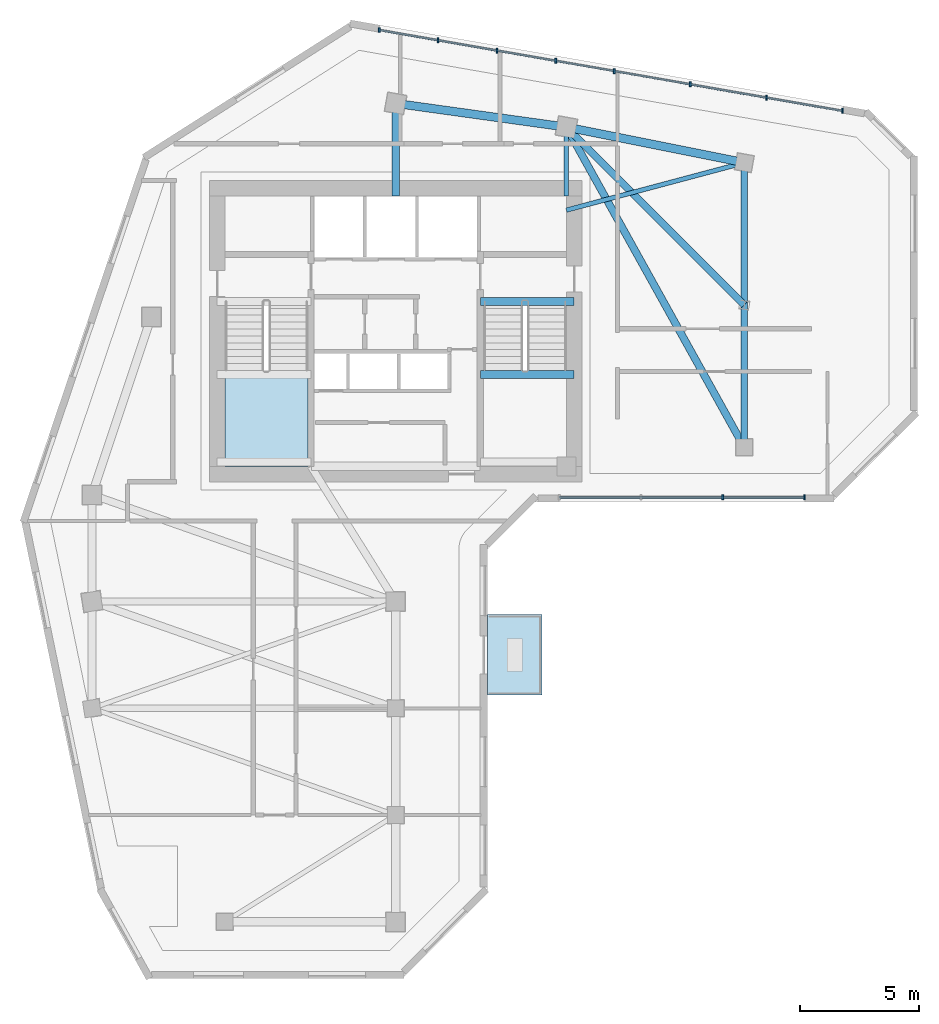
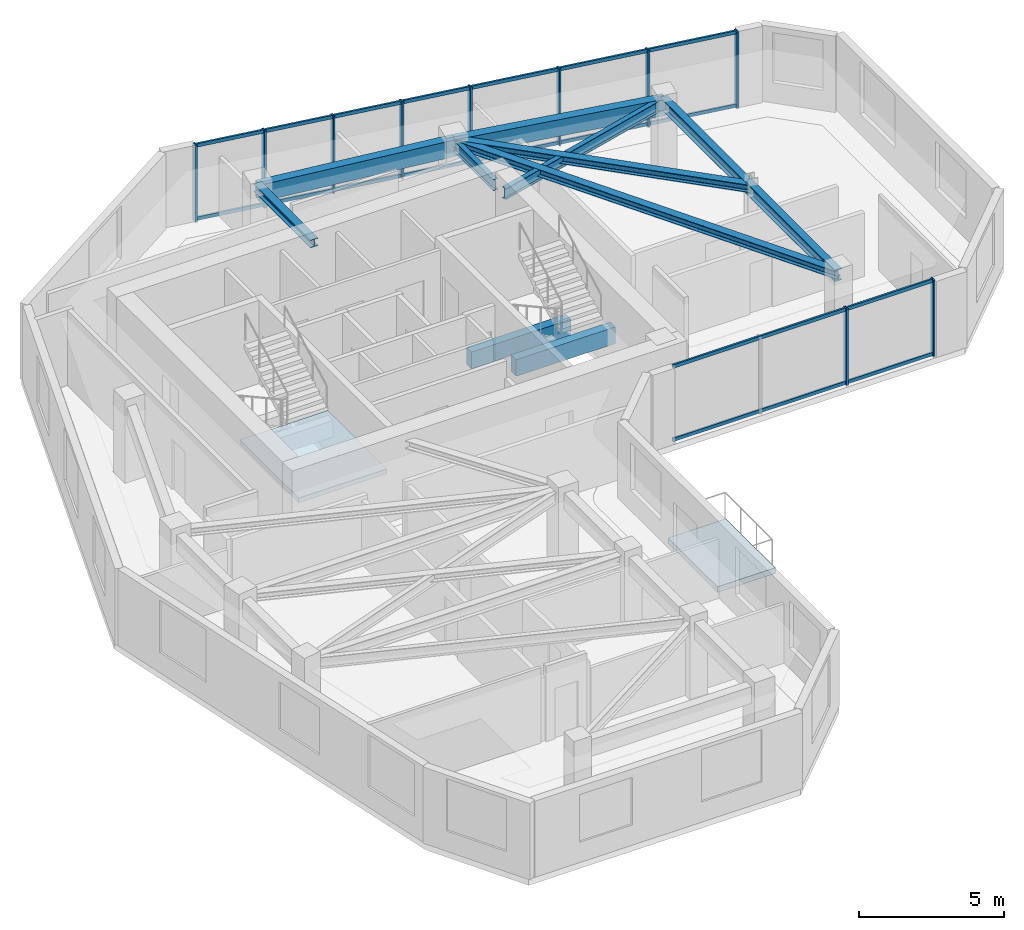
# One storey, part 2 of 9: 14 members, 10 beams, 2 slabs, 3 elements without a shape of their own.
"""IFC4 building model written with IfcOpenShell, lengths in metres."""

import ifcopenshell
import ifcopenshell.guid

model = None  # the IFC model being written
_history = None  # IfcOwnerHistory: only IFC2X3 demands one
_inside = {}  # id of a spatial element -> (the spatial element, [elements in it])
_under = {}  # id of a project, library or spatial element -> (it, [spatial elements below it])
_declared = {}  # id of a project -> (the project, [libraries it declares])
_typed = {}  # id of a type object -> (the type object, [elements of that type])
_made_of = {}  # id of a material, layer set ... -> (it, [elements and type objects made of it])


def new_model(schema):
    """Start an empty IFC model of exactly this schema.

    Asked for "IFC4X3", IfcOpenShell would pick the latest addendum, in which some entities
    have other attributes; the version numbers below select the first issue.
    IFC2X3 requires an IfcOwnerHistory on every rooted entity: one is made here for all.
    """
    global model, _history
    if schema == "IFC4X3":
        model = ifcopenshell.file(schema_version=(4, 3, 0, 0))
    else:
        model = ifcopenshell.file(schema=schema)
    _inside.clear()
    _under.clear()
    _declared.clear()
    _typed.clear()
    _made_of.clear()
    _history = None
    if model.schema == "IFC2X3":
        org = make("IfcOrganization", Name="unknown")
        user = make(
            "IfcPersonAndOrganization",
            ThePerson=make("IfcPerson", FamilyName="unknown"),
            TheOrganization=org,
        )
        app = make(
            "IfcApplication",
            ApplicationDeveloper=org,
            Version="unknown",
            ApplicationFullName="unknown",
            ApplicationIdentifier="unknown",
        )
        _history = make(
            "IfcOwnerHistory",
            OwningUser=user,
            OwningApplication=app,
            ChangeAction="ADDED",
            CreationDate=0,
        )
    return model


def make(cls, **values):
    """One entity of the class cls with the attributes given. An attribute that is None is left unset."""
    return model.create_entity(
        cls, **{name: value for name, value in values.items() if value is not None}
    )


def rooted(cls, **values):
    """An entity with a GlobalId (a new one), such as an element, a storey or a relation."""
    return make(cls, GlobalId=ifcopenshell.guid.new(), OwnerHistory=_history, **values)


def si_unit(unit_type, name, prefix=None):
    """IfcSIUnit, for example si_unit("LENGTHUNIT", "METRE", prefix="MILLI")."""
    return make("IfcSIUnit", UnitType=unit_type, Prefix=prefix, Name=name)


def assignment(units):
    """IfcUnitAssignment: the units of a project."""
    return None if units is None else make("IfcUnitAssignment", Units=units)


def point(xyz):
    """IfcCartesianPoint."""
    return None if xyz is None else make("IfcCartesianPoint", Coordinates=xyz)


def direction(xyz):
    """IfcDirection."""
    return None if xyz is None else make("IfcDirection", DirectionRatios=xyz)


def frame(location, z_axis=None, x_axis=None):
    """IfcAxis2Placement3D, a coordinate frame: its origin and axes. An axis left out is left unset."""
    return make(
        "IfcAxis2Placement3D",
        Location=point(location),
        Axis=direction(z_axis),
        RefDirection=direction(x_axis),
    )


def frame_2d(location, x_axis=None):
    """IfcAxis2Placement2D, a coordinate frame in the plane: its origin and x axis."""
    return make(
        "IfcAxis2Placement2D", Location=point(location), RefDirection=direction(x_axis)
    )


def origin():
    """The frame at (0, 0, 0) with its axes left unset."""
    return frame((0.0, 0.0, 0.0))


def origin_2d():
    """The frame at (0, 0) in the plane with its x axis left unset."""
    return frame_2d((0.0, 0.0))


def place(relative_to, where):
    """IfcLocalPlacement: puts the frame where relative to a parent placement (None: the world)."""
    return make(
        "IfcLocalPlacement", PlacementRelTo=relative_to, RelativePlacement=where
    )


def context(
    kind, dimensions, precision=None, world=None, true_north=None, identifier=None
):
    """IfcGeometricRepresentationContext, for example the 3D "Model" context."""
    return make(
        "IfcGeometricRepresentationContext",
        ContextIdentifier=identifier,
        ContextType=kind,
        CoordinateSpaceDimension=dimensions,
        Precision=precision,
        WorldCoordinateSystem=world,
        TrueNorth=true_north,
    )


def subcontext(parent, identifier, kind, view, scale=None):
    """IfcGeometricRepresentationSubContext, for example "Body" below "Model"."""
    return make(
        "IfcGeometricRepresentationSubContext",
        ContextIdentifier=identifier,
        ContextType=kind,
        ParentContext=parent,
        TargetScale=scale,
        TargetView=view,
    )


def project(units=None, contexts=None):
    """IfcProject with its units and contexts."""
    return rooted(
        "IfcProject",
        Name="project",
        RepresentationContexts=contexts,
        UnitsInContext=assignment(units),
    )


def spatial(cls, under=None, at=None, **own):
    """A site, building, storey or space (cls), placed at a placement, below another one or the project."""
    s = rooted(cls, ObjectPlacement=at, **own)
    if under is not None:
        _under.setdefault(under.id(), (under, []))[1].append(s)
    return s


def polyline(points):
    """IfcPolyline through the points."""
    return make("IfcPolyline", Points=[point(p) for p in points])


def profile(cls, at=None, kind="AREA", **sizes):
    """A parametric profile (cls). Its sizes go by their IFC names, for example OverallWidth=200.0."""
    return make(cls, ProfileType=kind, Position=at, **sizes)


def rectangle(**sizes):
    """IfcRectangleProfileDef."""
    return profile("IfcRectangleProfileDef", **sizes)


def i_section(**sizes):
    """IfcIShapeProfileDef."""
    return profile("IfcIShapeProfileDef", **sizes)


def outline(outer, holes=None, kind="AREA"):
    """IfcArbitraryClosedProfileDef: a profile drawn as a closed curve; with holes, ...WithVoids."""
    if holes is None:
        return make("IfcArbitraryClosedProfileDef", ProfileType=kind, OuterCurve=outer)
    return make(
        "IfcArbitraryProfileDefWithVoids",
        ProfileType=kind,
        OuterCurve=outer,
        InnerCurves=holes,
    )


def extrude(swept, where, along, depth):
    """IfcExtrudedAreaSolid: the profile swept, set in the frame where, extruded along a direction by depth."""
    return make(
        "IfcExtrudedAreaSolid",
        SweptArea=swept,
        Position=where,
        ExtrudedDirection=direction(along),
        Depth=depth,
    )


def shape(context_of_items, identifier, shape_type, items):
    """IfcShapeRepresentation: the items that make up one representation, for example the "Body"."""
    return make(
        "IfcShapeRepresentation",
        ContextOfItems=context_of_items,
        RepresentationIdentifier=identifier,
        RepresentationType=shape_type,
        Items=items,
    )


def source(mapping_origin, context_of_items, identifier, shape_type, items):
    """IfcRepresentationMap: a shape defined once, which mapped items show again and again."""
    return make(
        "IfcRepresentationMap",
        MappingOrigin=mapping_origin,
        MappedRepresentation=shape(context_of_items, identifier, shape_type, items),
    )


def transform(
    local_origin,
    x_axis=None,
    y_axis=None,
    z_axis=None,
    scale=None,
    scale2=None,
    scale3=None,
    uniform=True,
):
    """IfcCartesianTransformationOperator3D, or its non-uniform kind. x_axis, y_axis, z_axis: its Axis1, 2, 3."""
    if uniform:
        return make(
            "IfcCartesianTransformationOperator3D",
            Axis1=direction(x_axis),
            Axis2=direction(y_axis),
            LocalOrigin=point(local_origin),
            Scale=scale,
            Axis3=direction(z_axis),
        )
    return make(
        "IfcCartesianTransformationOperator3DnonUniform",
        Axis1=direction(x_axis),
        Axis2=direction(y_axis),
        LocalOrigin=point(local_origin),
        Scale=scale,
        Axis3=direction(z_axis),
        Scale2=scale2,
        Scale3=scale3,
    )


def mapped(mapping_source, mapping_target):
    """IfcMappedItem: shows the shape of a source again, moved by a transform."""
    return make(
        "IfcMappedItem", MappingSource=mapping_source, MappingTarget=mapping_target
    )


def material(Name=None, Category=None):
    """IfcMaterial."""
    return make("IfcMaterial", Name=Name, Category=Category)


def layer(
    of_material, thickness, ventilated=None, Name=None, Category=None, Priority=None
):
    """IfcMaterialLayer: one layer of a wall or slab, of a material (None: an air gap)."""
    return make(
        "IfcMaterialLayer",
        Material=of_material,
        LayerThickness=thickness,
        IsVentilated=ventilated,
        Name=Name,
        Category=Category,
        Priority=Priority,
    )


def layer_set(layers, Name=None):
    """IfcMaterialLayerSet."""
    return make("IfcMaterialLayerSet", MaterialLayers=layers, LayerSetName=Name)


def material_profile(
    of_material, cross_section, Name=None, Category=None, Priority=None
):
    """IfcMaterialProfile: a cross section and its material."""
    return make(
        "IfcMaterialProfile",
        Name=Name,
        Material=of_material,
        Profile=cross_section,
        Priority=Priority,
        Category=Category,
    )


def profile_set(profiles, Name=None, composite=None):
    """IfcMaterialProfileSet."""
    return make(
        "IfcMaterialProfileSet",
        Name=Name,
        MaterialProfiles=profiles,
        CompositeProfile=composite,
    )


def made_of(thing, what):
    """Note that an element or type object is made of a material, layer set ...; save() writes the relation."""
    if what is not None:
        _made_of.setdefault(what.id(), (what, []))[1].append(thing)
    return thing


def type_object(cls, material=None, **own):
    """A type object (cls), such as IfcWallType, which elements share."""
    return made_of(rooted(cls, **own), material)


def element(
    cls,
    number,
    at=None,
    inside=None,
    cuts=None,
    type_object=None,
    material=None,
    context=None,
    identifier="Body",
    shape_type=None,
    held_by="IfcProductDefinitionShape",
    body=None,
    shapes=None,
    **own,
):
    """One element of the class cls, such as IfcWall. Its Tag is "e" and its number.

    at: its placement. inside: the storey or other place that contains it. cuts: it is an
    opening in that element (IfcRelVoidsElement). A single representation is given by context,
    identifier, shape_type and body (its items); several are given by shapes. held_by: the class
    of the entity that holds the representations. save() writes the other relations.
    """
    e = rooted(cls, Tag="e%d" % number, ObjectPlacement=at, **own)
    if body is not None:
        shapes = [shape(context, identifier, shape_type, body)]
    if shapes is not None:
        e.Representation = make(held_by, Representations=shapes)
    if inside is not None:
        _inside.setdefault(inside.id(), (inside, []))[1].append(e)
    if cuts is not None:
        rooted(
            "IfcRelVoidsElement", RelatingBuildingElement=cuts, RelatedOpeningElement=e
        )
    if type_object is not None:
        _typed.setdefault(type_object.id(), (type_object, []))[1].append(e)
    return made_of(e, material)


def aggregate(whole, parts):
    """IfcRelAggregates: a whole, such as a stair, and the parts it consists of."""
    return rooted("IfcRelAggregates", RelatingObject=whole, RelatedObjects=parts)


def save(model, path):
    """Write the relations noted so far, then the file.

    IfcRelAggregates (storeys below a building ...), IfcRelContainedInSpatialStructure (elements
    in a storey), IfcRelDefinesByType, IfcRelAssociatesMaterial and IfcRelDeclares: one each for
    every whole, place, type object, material and project.
    """
    for whole, parts in _under.values():
        aggregate(whole, parts)
    for where, things in _inside.values():
        rooted(
            "IfcRelContainedInSpatialStructure",
            RelatedElements=things,
            RelatingStructure=where,
        )
    for kind, things in _typed.values():
        rooted("IfcRelDefinesByType", RelatedObjects=things, RelatingType=kind)
    for what, things in _made_of.values():
        rooted("IfcRelAssociatesMaterial", RelatedObjects=things, RelatingMaterial=what)
    for by, libraries in _declared.values():
        rooted("IfcRelDeclares", RelatingContext=by, RelatedDefinitions=libraries)
    model.write(path)


model = new_model("IFC4")

# Units and contexts
model_context = context("Model", 3, precision=1e-05, world=origin(), true_north=direction((0.0, 1.0)))
body_context = subcontext(model_context, "Body", "Model", "MODEL_VIEW")
ifc_project = project(units=[si_unit("LENGTHUNIT", "METRE"), si_unit("AREAUNIT", "SQUARE_METRE"), si_unit("VOLUMEUNIT", "CUBIC_METRE"), si_unit("PLANEANGLEUNIT", "RADIAN"), si_unit("MASSUNIT", "GRAM", prefix="KILO")], contexts=[model_context])

# Site, building, storey
site_placement = place(None, origin())
site = spatial("IfcSite", under=ifc_project, at=site_placement, CompositionType="ELEMENT")
building_placement = place(site_placement, origin())
building = spatial("IfcBuilding", under=site, at=building_placement, Name="Calvemar Wedge Station Tower", CompositionType="ELEMENT")
storey_placement = place(building_placement, frame((0.0, 0.0, 239.39990234375)))
storey = spatial("IfcBuildingStorey", under=building, at=storey_placement, Name="L61", CompositionType="ELEMENT", Elevation=239.39990234375)

# Beams
ifc_material_1 = material(Name="Structural steel ASTM A572 Grade 50", Category="steel")
ifc_material_profile_1 = material_profile(ifc_material_1, i_section(OverallWidth=0.30908203125, OverallDepth=0.322998046875, WebThickness=0.013916015625, FlangeThickness=0.02294921875, FilletRadius=0.014892578125, at=origin_2d()), Name="W310x143")
ifc_profile_set_1 = profile_set([ifc_material_profile_1], Name="Structural steel ASTM A572 Grade 50")
beam_type_1 = type_object("IfcBeamType", Name="BM-J5-W310H", PredefinedType="JOIST", material=ifc_profile_set_1)
shared_shape_1 = source(origin(), body_context, "Body", "SweptSolid", [
    extrude(i_section(OverallWidth=0.30908203125, OverallDepth=0.322998046875, WebThickness=0.013916015625, FlangeThickness=0.02294921875, FilletRadius=0.014892578125, at=origin_2d()), origin(), (0.0, 0.0, 1.0), 15.443359375),
])
beam_1_placement = place(storey_placement, frame((31.0, 48.5, 3.03857421875), z_axis=(0.485642931179, -0.874157276122, 0.0), x_axis=(0.874157276122, 0.485642931179, 0.0)))
element("IfcBeam", 1, at=beam_1_placement, inside=storey, type_object=beam_type_1, Name="Storey L61 Floor Beam T-N2-T-NL2", PredefinedType="JOIST", context=body_context, shape_type="MappedRepresentation", body=[
    mapped(shared_shape_1, transform((0.0, 0.0, 0.0), scale=1.0)),
])
ifc_material_profile_2 = material_profile(ifc_material_1, i_section(OverallWidth=0.19189453125, OverallDepth=0.462890625, WebThickness=0.010498046875, FlangeThickness=0.017578125, FilletRadius=0.012939453125, at=origin_2d()), Name="W460x89")
ifc_profile_set_2 = profile_set([ifc_material_profile_2], Name="Structural steel ASTM A572 Grade 50")
beam_type_2 = type_object("IfcBeamType", Name="BM-J1-W460", PredefinedType="JOIST", material=ifc_profile_set_2)
shared_shape_2 = source(origin(), body_context, "Body", "SweptSolid", [
    extrude(i_section(OverallWidth=0.19189453125, OverallDepth=0.462890625, WebThickness=0.010498046875, FlangeThickness=0.017578125, FilletRadius=0.012939453125, at=origin_2d()), origin(), (0.0, 0.0, 1.0), 7.76220703125),
])
beam_2_placement = place(storey_placement, frame((31.0, 45.0, 2.968505859375), z_axis=(0.966234939601, 0.25766265056, 0.0), x_axis=(-0.25766265056, 0.966234939601, 0.0)))
element("IfcBeam", 2, at=beam_2_placement, inside=storey, type_object=beam_type_2, Name="Storey L61 Core-to-Column Joist CJ-E2", PredefinedType="JOIST", context=body_context, shape_type="MappedRepresentation", body=[
    mapped(shared_shape_2, transform((0.0, 0.0, 0.0), scale=1.0)),
])
shared_shape_3 = source(origin(), body_context, "Body", "SweptSolid", [
    extrude(i_section(OverallWidth=0.30908203125, OverallDepth=0.322998046875, WebThickness=0.013916015625, FlangeThickness=0.02294921875, FilletRadius=0.014892578125, at=origin_2d()), origin(), (0.0, 0.0, 1.0), 3.89990234375),
])
beam_3_placement = place(storey_placement, frame((23.800048828125, 45.60009765625, 3.03857421875), z_axis=(0.0, 1.0, 0.0), x_axis=(-1.0, 0.0, 0.0)))
element("IfcBeam", 3, at=beam_3_placement, inside=storey, type_object=beam_type_1, Name="Storey L61 Core-to-Column Joist CJ-N1", PredefinedType="JOIST", context=body_context, shape_type="MappedRepresentation", body=[
    mapped(shared_shape_3, transform((0.0, 0.0, 0.0), scale=1.0)),
])
shared_shape_4 = source(origin(), body_context, "Body", "SweptSolid", [
    extrude(i_section(OverallWidth=0.19189453125, OverallDepth=0.462890625, WebThickness=0.010498046875, FlangeThickness=0.017578125, FilletRadius=0.012939453125, at=origin_2d()), origin(), (0.0, 0.0, 1.0), 2.89990234375),
])
beam_4_placement = place(storey_placement, frame((31.0, 45.60009765625, 2.968505859375), z_axis=(0.0, 1.0, 0.0), x_axis=(-1.0, 0.0, 0.0)))
element("IfcBeam", 4, at=beam_4_placement, inside=storey, type_object=beam_type_2, Name="Storey L61 Core-to-Column Joist CJ-N2", PredefinedType="JOIST", context=body_context, shape_type="MappedRepresentation", body=[
    mapped(shared_shape_4, transform((0.0, 0.0, 0.0), scale=1.0)),
])
shared_shape_5 = source(origin(), body_context, "Body", "SweptSolid", [
    extrude(i_section(OverallWidth=0.30908203125, OverallDepth=0.322998046875, WebThickness=0.013916015625, FlangeThickness=0.02294921875, FilletRadius=0.014892578125, at=origin_2d()), origin(), (0.0, 0.0, 1.0), 10.606689453125),
])
beam_5_placement = place(storey_placement, frame((38.5, 41.0, 3.03857421875), z_axis=(-0.707106781187, 0.707106781187, 0.0), x_axis=(-0.707106781187, -0.707106781187, 0.0)))
element("IfcBeam", 5, at=beam_5_placement, inside=storey, type_object=beam_type_1, Name="Storey L61 Floor Beam T-NTIP-B-T-N2", PredefinedType="JOIST", context=body_context, shape_type="MappedRepresentation", body=[
    mapped(shared_shape_5, transform((0.0, 0.0, 0.0), scale=1.0)),
])
ifc_material_2 = material(Name="Concrete C70", Category="concrete")
ifc_material_profile_3 = material_profile(ifc_material_2, rectangle(XDim=0.35009765625, YDim=0.699951171875, at=origin_2d()), Name="RC350x700")
ifc_profile_set_3 = profile_set([ifc_material_profile_3], Name="Concrete C70")
beam_type_3 = type_object("IfcBeamType", Name="BM-LN1-700", PredefinedType="LINTEL", material=ifc_profile_set_3)
shared_shape_6 = source(origin(), body_context, "Body", "SweptSolid", [
    extrude(rectangle(XDim=0.35009765625, YDim=0.699951171875, at=origin_2d()), origin(), (0.0, 0.0, 1.0), 3.954833984375),
])
for number, where, z_axis, x_axis, name in (
    (6, (27.3701171875, 41.14990234375, -0.349853515625), (1.0, 0.0, 0.0), (0.0, 1.0, 0.0), "Storey L61 Stair ST-C2 Landing Trimmer Beam"),
    (7, (27.3701171875, 38.070068359375, 1.2001953125), (1.0, 0.0, 0.0), (0.0, 1.0, 0.0), "Storey L61 Stair ST-C2 Half-Landing Beam 1B"),
):
    element("IfcBeam", number, at=place(storey_placement, frame(where, z_axis=z_axis, x_axis=x_axis)), inside=storey, type_object=beam_type_3, Name=name, PredefinedType="LINTEL", context=body_context, shape_type="MappedRepresentation", body=[
        mapped(shared_shape_6, transform((0.0, 0.0, 0.0), scale=1.0)),
    ])
ifc_material_3 = material(Name="Concrete C50", Category="concrete")
ifc_material_profile_4 = material_profile(ifc_material_3, rectangle(XDim=0.35009765625, YDim=0.699951171875, at=origin_2d()), Name="RC350x700")
ifc_profile_set_4 = profile_set([ifc_material_profile_4], Name="Concrete C50")
beam_type_4 = type_object("IfcBeamType", Name="BM-SP2-700", PredefinedType="SPANDREL", material=ifc_profile_set_4)
shared_shape_7 = source(origin(), body_context, "Body", "SweptSolid", [
    extrude(rectangle(XDim=0.35009765625, YDim=0.699951171875, at=origin_2d()), origin(), (0.0, 0.0, 1.0), 7.26904296875),
])
beam_6_placement = place(storey_placement, frame((23.800048828125, 49.5, 2.85009765625), z_axis=(0.990492146053, -0.13756928657, 0.0), x_axis=(0.13756928657, 0.990492146053, 0.0)))
element("IfcBeam", 8, at=beam_6_placement, inside=storey, type_object=beam_type_4, Name="Storey L61 Spandrel T-N1-T-N2", PredefinedType="SPANDREL", context=body_context, shape_type="MappedRepresentation", body=[
    mapped(shared_shape_7, transform((0.0, 0.0, 0.0), scale=1.0)),
])
shared_shape_8 = source(origin(), body_context, "Body", "SweptSolid", [
    extrude(rectangle(XDim=0.35009765625, YDim=0.699951171875, at=origin_2d()), origin(), (0.0, 0.0, 1.0), 7.6484375),
])
beam_7_placement = place(storey_placement, frame((31.0, 48.5, 2.85009765625), z_axis=(0.980580675691, -0.196116135138, 0.0), x_axis=(0.196116135138, 0.980580675691, 0.0)))
element("IfcBeam", 9, at=beam_7_placement, inside=storey, type_object=beam_type_4, Name="Storey L61 Spandrel T-N2-T-NU3", PredefinedType="SPANDREL", context=body_context, shape_type="MappedRepresentation", body=[
    mapped(shared_shape_8, transform((0.0, 0.0, 0.0), scale=1.0)),
])
ifc_material_profile_5 = material_profile(ifc_material_1, i_section(OverallWidth=0.283935546875, OverallDepth=0.47607421875, WebThickness=0.014892578125, FlangeThickness=0.02392578125, FilletRadius=0.014892578125, at=origin_2d()), Name="W460x158")
ifc_profile_set_5 = profile_set([ifc_material_profile_5], Name="Structural steel ASTM A572 Grade 50")
beam_type_5 = type_object("IfcBeamType", Name="BM-SB5-W460H", PredefinedType="BEAM", material=ifc_profile_set_5)
shared_shape_9 = source(origin(), body_context, "Body", "SweptSolid", [
    extrude(i_section(OverallWidth=0.283935546875, OverallDepth=0.47607421875, WebThickness=0.014892578125, FlangeThickness=0.02392578125, FilletRadius=0.014892578125, at=origin_2d()), origin(), (0.0, 0.0, 1.0), 12.0),
])
beam_8_placement = place(storey_placement, frame((38.5, 47.0, 2.962158203125), z_axis=(0.0, -1.0, 0.0), x_axis=(1.0, 0.0, 0.0)))
element("IfcBeam", 10, at=beam_8_placement, inside=storey, type_object=beam_type_5, Name="Storey L61 Floor Beam T-NU3-T-NL2", PredefinedType="BEAM", context=body_context, shape_type="MappedRepresentation", body=[
    mapped(shared_shape_9, transform((0.0, 0.0, 0.0), scale=1.0)),
])

# Curtain wall, members
ifc_material_4 = material(Name="Anodised aluminium 6063-T6", Category="aluminium")
curtain_wall_type = type_object("IfcCurtainWallType", Name="CW3", PredefinedType="NOTDEFINED", material=ifc_material_4)
curtain_wall_1_placement = place(storey_placement, origin())
curtain_wall_1 = element("IfcCurtainWall", 11, at=curtain_wall_1_placement, inside=storey, type_object=curtain_wall_type, Name="Storey L61 CW3 Recessed Unitised Curtain Wall 6", PredefinedType="NOTDEFINED")
ifc_material_profile_6 = material_profile(ifc_material_4, rectangle(XDim=0.074951171875, YDim=0.2099609375, at=origin_2d()), Name="AL-MUL-75x210")
ifc_profile_set_6 = profile_set([ifc_material_profile_6], Name="Anodised aluminium 6063-T6")
member_type_1 = type_object("IfcMemberType", Name="CW3-MUL", PredefinedType="MULLION", material=ifc_profile_set_6)
shared_shape_10 = source(origin(), body_context, "Body", "SweptSolid", [
    extrude(rectangle(XDim=0.074951171875, YDim=0.2099609375, at=origin_2d()), origin(), (0.0, 0.0, 1.0), 3.25),
])
member_1_placement = place(storey_placement, frame((37.592529296875, 32.902099609375, -0.0498046875), z_axis=(0.0, 0.0, 1.0), x_axis=(1.0, 0.0, 0.0)))
member_1 = element("IfcMember", 12, at=member_1_placement, type_object=member_type_1, Name="CW3 mullion 3", PredefinedType="MULLION", context=body_context, shape_type="MappedRepresentation", body=[
    mapped(shared_shape_10, transform((0.0, 0.0, 0.0), scale=1.0)),
])
member_2_placement = place(storey_placement, frame((41.037841796875, 32.902099609375, -0.0498046875), z_axis=(0.0, 0.0, 1.0), x_axis=(1.0, 0.0, 0.0)))
member_2 = element("IfcMember", 13, at=member_2_placement, type_object=member_type_1, Name="CW3 mullion 4", PredefinedType="MULLION", context=body_context, shape_type="MappedRepresentation", body=[
    mapped(shared_shape_10, transform((0.0, 0.0, 0.0), scale=1.0)),
])

curtain_wall_2_placement = place(storey_placement, origin())
curtain_wall_2 = element("IfcCurtainWall", 14, at=curtain_wall_2_placement, inside=storey, type_object=curtain_wall_type, Name="Storey L61 CW3 Recessed Unitised Curtain Wall 10", PredefinedType="NOTDEFINED")
member_3_placement = place(storey_placement, frame((42.633544921875, 49.1826171875, -0.0498046875), z_axis=(0.0, 0.0, 1.0), x_axis=(1.0, 0.0, 0.0)))
member_3 = element("IfcMember", 15, at=member_3_placement, type_object=member_type_1, Name="CW3 mullion 1", PredefinedType="MULLION", context=body_context, shape_type="MappedRepresentation", body=[
    mapped(shared_shape_10, transform((0.0, 0.0, 0.0), scale=1.0)),
])
member_4_placement = place(storey_placement, frame((39.4296875, 49.7421875, -0.0498046875), z_axis=(0.0, 0.0, 1.0), x_axis=(1.0, 0.0, 0.0)))
member_4 = element("IfcMember", 16, at=member_4_placement, type_object=member_type_1, Name="CW3 mullion 2", PredefinedType="MULLION", context=body_context, shape_type="MappedRepresentation", body=[
    mapped(shared_shape_10, transform((0.0, 0.0, 0.0), scale=1.0)),
])
member_5_placement = place(storey_placement, frame((36.2255859375, 50.302001953125, -0.0498046875), z_axis=(0.0, 0.0, 1.0), x_axis=(1.0, 0.0, 0.0)))
member_5 = element("IfcMember", 17, at=member_5_placement, type_object=member_type_1, Name="CW3 mullion 3", PredefinedType="MULLION", context=body_context, shape_type="MappedRepresentation", body=[
    mapped(shared_shape_10, transform((0.0, 0.0, 0.0), scale=1.0)),
])
member_6_placement = place(storey_placement, frame((33.021484375, 50.861572265625, -0.0498046875), z_axis=(0.0, 0.0, 1.0), x_axis=(1.0, 0.0, 0.0)))
member_6 = element("IfcMember", 18, at=member_6_placement, type_object=member_type_1, Name="CW3 mullion 4", PredefinedType="MULLION", context=body_context, shape_type="MappedRepresentation", body=[
    mapped(shared_shape_10, transform((0.0, 0.0, 0.0), scale=1.0)),
])
member_7_placement = place(storey_placement, frame((30.54638671875, 51.2939453125, -0.0498046875), z_axis=(0.0, 0.0, 1.0), x_axis=(1.0, 0.0, 0.0)))
member_7 = element("IfcMember", 19, at=member_7_placement, type_object=member_type_1, Name="CW3 mullion 5", PredefinedType="MULLION", context=body_context, shape_type="MappedRepresentation", body=[
    mapped(shared_shape_10, transform((0.0, 0.0, 0.0), scale=1.0)),
])
member_8_placement = place(storey_placement, frame((28.071533203125, 51.726318359375, -0.0498046875), z_axis=(0.0, 0.0, 1.0), x_axis=(1.0, 0.0, 0.0)))
member_8 = element("IfcMember", 20, at=member_8_placement, type_object=member_type_1, Name="CW3 mullion 6", PredefinedType="MULLION", context=body_context, shape_type="MappedRepresentation", body=[
    mapped(shared_shape_10, transform((0.0, 0.0, 0.0), scale=1.0)),
])
member_9_placement = place(storey_placement, frame((25.588134765625, 52.159912109375, -0.0498046875), z_axis=(0.0, 0.0, 1.0), x_axis=(1.0, 0.0, 0.0)))
member_9 = element("IfcMember", 21, at=member_9_placement, type_object=member_type_1, Name="CW3 mullion 7", PredefinedType="MULLION", context=body_context, shape_type="MappedRepresentation", body=[
    mapped(shared_shape_10, transform((0.0, 0.0, 0.0), scale=1.0)),
])
member_10_placement = place(storey_placement, frame((23.104736328125, 52.59375, -0.0498046875), z_axis=(0.0, 0.0, 1.0), x_axis=(1.0, 0.0, 0.0)))
member_10 = element("IfcMember", 22, at=member_10_placement, type_object=member_type_1, Name="CW3 mullion 8", PredefinedType="MULLION", context=body_context, shape_type="MappedRepresentation", body=[
    mapped(shared_shape_10, transform((0.0, 0.0, 0.0), scale=1.0)),
])

# Member
ifc_material_profile_7 = material_profile(ifc_material_4, rectangle(XDim=0.074951171875, YDim=0.14501953125, at=origin_2d()), Name="AL-TRN-75x145")
ifc_profile_set_7 = profile_set([ifc_material_profile_7], Name="Anodised aluminium 6063-T6")
member_type_2 = type_object("IfcMemberType", Name="CW3-TRN", PredefinedType="USERDEFINED", material=ifc_profile_set_7)
shared_shape_11 = source(origin(), body_context, "Body", "SweptSolid", [
    extrude(rectangle(XDim=0.074951171875, YDim=0.14501953125, at=origin_2d()), origin(), (0.0, 0.0, 1.0), 10.3359375),
])
member_11_placement = place(storey_placement, frame((30.701904296875, 32.902099609375, 0.06005859375), z_axis=(1.0, 0.0, 0.0), x_axis=(0.0, 1.0, 0.0)))
member_11 = element("IfcMember", 23, at=member_11_placement, type_object=member_type_2, Name="CW3 transom 1", ObjectType="TRANSOM", PredefinedType="USERDEFINED", context=body_context, shape_type="MappedRepresentation", body=[
    mapped(shared_shape_11, transform((0.0, 0.0, 0.0), scale=1.0)),
])

member_12_placement = place(storey_placement, frame((30.701904296875, 32.902099609375, 3.14013671875), z_axis=(1.0, 0.0, 0.0), x_axis=(0.0, 1.0, 0.0)))
member_12 = element("IfcMember", 24, at=member_12_placement, type_object=member_type_2, Name="CW3 transom 2", ObjectType="TRANSOM", PredefinedType="USERDEFINED", context=body_context, shape_type="MappedRepresentation", body=[
    mapped(shared_shape_11, transform((0.0, 0.0, 0.0), scale=1.0)),
])

aggregate(curtain_wall_1, [member_1, member_2, member_11, member_12])

shared_shape_12 = source(origin(), body_context, "Body", "SweptSolid", [
    extrude(rectangle(XDim=0.074951171875, YDim=0.14501953125, at=origin_2d()), origin(), (0.0, 0.0, 1.0), 19.824462890625),
])
member_13_placement = place(storey_placement, frame((42.633544921875, 49.1826171875, 0.06005859375), z_axis=(-0.985085308681, 0.172066657493, 0.0), x_axis=(-0.172066657493, -0.985085308681, 0.0)))
member_13 = element("IfcMember", 25, at=member_13_placement, type_object=member_type_2, Name="CW3 transom 1", ObjectType="TRANSOM", PredefinedType="USERDEFINED", context=body_context, shape_type="MappedRepresentation", body=[
    mapped(shared_shape_12, transform((0.0, 0.0, 0.0), scale=1.0)),
])

member_14_placement = place(storey_placement, frame((42.633544921875, 49.1826171875, 3.14013671875), z_axis=(-0.985085308681, 0.172066657493, 0.0), x_axis=(-0.172066657493, -0.985085308681, 0.0)))
member_14 = element("IfcMember", 26, at=member_14_placement, type_object=member_type_2, Name="CW3 transom 2", ObjectType="TRANSOM", PredefinedType="USERDEFINED", context=body_context, shape_type="MappedRepresentation", body=[
    mapped(shared_shape_12, transform((0.0, 0.0, 0.0), scale=1.0)),
])

aggregate(curtain_wall_2, [member_3, member_4, member_5, member_6, member_7, member_8, member_9, member_10, member_13, member_14])

# Stair, slab
ifc_material_5 = material(Name="Concrete C45", Category="concrete")
stair_type = type_object("IfcStairType", Name="ST-TYPE-3500", PredefinedType="HALF_TURN_STAIR", material=ifc_material_5)
stair_placement = place(storey_placement, origin())
stair = element("IfcStair", 27, at=stair_placement, inside=storey, type_object=stair_type, Name="L61 Pressurized Core Exit Stair ST-C1", PredefinedType="HALF_TURN_STAIR")
ifc_layer_1 = layer(ifc_material_5, 0.199951171875)
ifc_layer_set_1 = layer_set([ifc_layer_1], Name="Concrete C45")
slab_type_1 = type_object("IfcSlabType", Name="SL-STAIR-LND-200", PredefinedType="LANDING", material=ifc_layer_set_1)
slab_1_placement = place(storey_placement, frame((0.0, 0.0, 1.550048828125)))
slab_1 = element("IfcSlab", 28, at=slab_1_placement, type_object=slab_type_1, Name="ST-C1 landing 1", PredefinedType="LANDING", context=body_context, shape_type="SweptSolid", body=[
    extrude(outline(polyline([(16.60009765625, 38.25), (16.60009765625, 34.199951171875), (20.10009765625, 34.199951171875), (20.10009765625, 38.25), (16.60009765625, 38.25)])), origin(), (0.0, 0.0, 1.0), 0.199951171875),
])
aggregate(stair, [slab_1])

# Slab
ifc_layer_2 = layer(ifc_material_5, 0.239990234375)
ifc_layer_set_2 = layer_set([ifc_layer_2], Name="Concrete C45")
slab_type_2 = type_object("IfcSlabType", Name="SL-TERR-240", PredefinedType="FLOOR", material=ifc_layer_set_2)
slab_2_placement = place(storey_placement, frame((0.0, 0.0, -0.239990234375)))
element("IfcSlab", 29, at=slab_2_placement, inside=storey, type_object=slab_type_2, Name="Storey L61 Planted Spiral Terrace Slab", PredefinedType="FLOOR", context=body_context, shape_type="SweptSolid", body=[
    extrude(outline(polyline([(27.6640625, 24.550048828125), (29.964111328125, 24.550048828125), (29.964111328125, 27.949951171875), (27.6640625, 27.949951171875), (27.6640625, 24.550048828125)])), origin(), (0.0, 0.0, 1.0), 0.239990234375),
])

save(model, "model.ifc")
